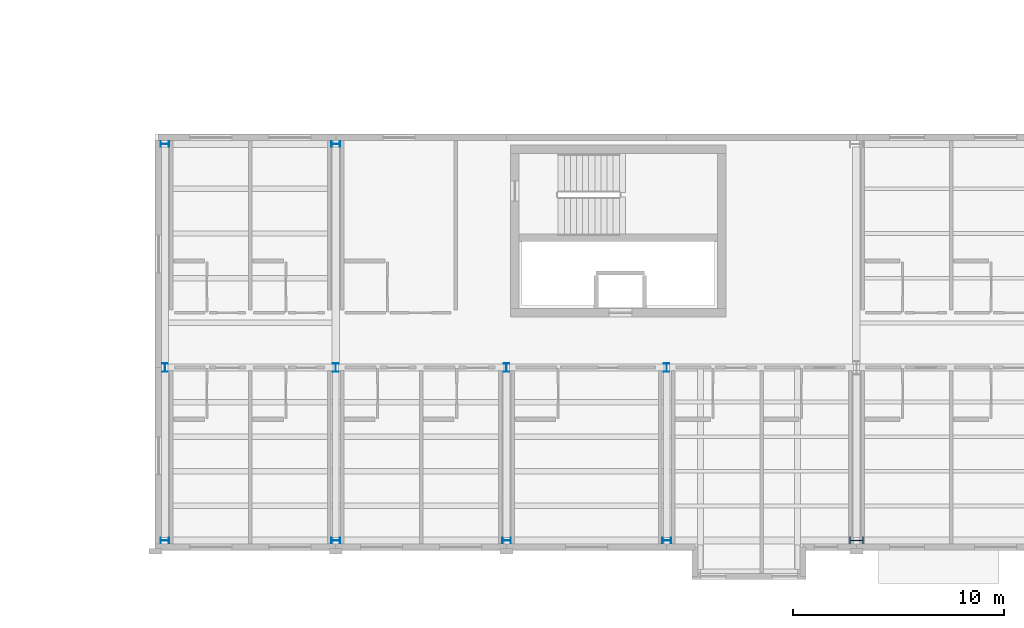
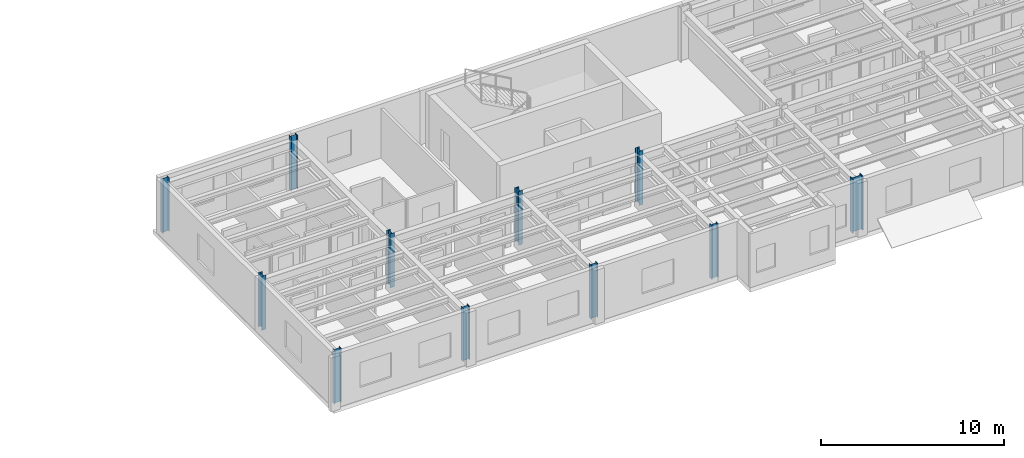
# One storey, part 1 of 34: 11 columns.
"""IFC4 building model written with IfcOpenShell, lengths in metres."""

from ifc_helpers import new_model, si_unit, direction, frame, origin, origin_2d, place, context, subcontext, project, spatial, i_section, extrude, material, material_profile, profile_set, type_object, element, save


model = new_model("IFC4")

# Units and contexts
model_context = context("Model", 3, precision=1e-05, world=origin(), true_north=direction((0.0, 1.0)))
body_context = subcontext(model_context, "Body", "Model", "MODEL_VIEW")
ifc_project = project(units=[si_unit("LENGTHUNIT", "METRE"), si_unit("AREAUNIT", "SQUARE_METRE"), si_unit("VOLUMEUNIT", "CUBIC_METRE"), si_unit("PLANEANGLEUNIT", "RADIAN"), si_unit("MASSUNIT", "GRAM", prefix="KILO")], contexts=[model_context])

# Site, building, storey
site_placement = place(None, origin())
site = spatial("IfcSite", under=ifc_project, at=site_placement, CompositionType="ELEMENT")
building_placement = place(site_placement, origin())
building = spatial("IfcBuilding", under=site, at=building_placement, Name="Sollismere Congress Hotel", CompositionType="ELEMENT")
storey_placement = place(building_placement, frame((0.0, 0.0, 23.39990234375)))
storey = spatial("IfcBuildingStorey", under=building, at=storey_placement, Name="L05", CompositionType="ELEMENT", Elevation=23.39990234375)

# Columns
ifc_material = material(Name="Steel ASTM A992 Grade 50", Category="steel")
ifc_material_profile_1 = material_profile(ifc_material, i_section(OverallWidth=0.261962890625, OverallDepth=0.4189453125, WebThickness=0.01171875, FlangeThickness=0.019287109375, at=origin_2d()), Name="W16X77")
ifc_profile_set_1 = profile_set([ifc_material_profile_1], Name="Steel ASTM A992 Grade 50")
column_type_1 = type_object("IfcColumnType", Name="COL-W16", PredefinedType="COLUMN", material=ifc_profile_set_1)
for number, where, z_axis, x_axis, name in (
    (1, (34.199951171875, 0.0, 0.0), (0.0, 0.0, 1.0), (0.0, 1.0, 0.0), "Column CL-L05-121"),
    (2, (34.199951171875, 8.199951171875, 0.0), (0.0, 0.0, 1.0), (1.0, 0.0, 0.0), "Column CL-L05-129"),
    (3, (34.199951171875, 18.800048828125, 0.0), (0.0, 0.0, 1.0), (0.0, 1.0, 0.0), "Column CL-L05-137"),
    (4, (42.300048828125, 0.0, 0.0), (0.0, 0.0, 1.0), (0.0, 1.0, 0.0), "Column CL-L05-156"),
    (5, (42.300048828125, 8.199951171875, 0.0), (0.0, 0.0, 1.0), (1.0, 0.0, 0.0), "Column CL-L05-164"),
    (6, (42.300048828125, 18.800048828125, 0.0), (0.0, 0.0, 1.0), (0.0, 1.0, 0.0), "Column CL-L05-172"),
    (7, (50.39990234375, 0.0, 0.0), (0.0, 0.0, 1.0), (0.0, 1.0, 0.0), "Column CL-L05-191"),
    (8, (50.39990234375, 8.199951171875, 0.0), (0.0, 0.0, 1.0), (1.0, 0.0, 0.0), "Column CL-L05-199"),
    (9, (58.0, 0.0, 0.0), (0.0, 0.0, 1.0), (0.0, 1.0, 0.0), "Column CL-L05-234"),
    (10, (58.0, 8.199951171875, 0.0), (0.0, 0.0, 1.0), (1.0, 0.0, 0.0), "Column CL-L05-242"),
):
    element("IfcColumn", number, at=place(storey_placement, frame(where, z_axis=z_axis, x_axis=x_axis)), inside=storey, type_object=column_type_1, Name=name, PredefinedType="COLUMN", context=body_context, shape_type="SweptSolid", body=[
        extrude(i_section(OverallWidth=0.261962890625, OverallDepth=0.4189453125, WebThickness=0.01171875, FlangeThickness=0.019287109375, at=origin_2d()), origin(), (0.0, 0.0, 1.0), 3.60009765625),
    ])
ifc_material_profile_2 = material_profile(ifc_material, i_section(OverallWidth=0.3330078125, OverallDepth=0.659912109375, WebThickness=0.0244140625, FlangeThickness=0.0439453125, at=origin_2d()), Name="W24X229")
ifc_profile_set_2 = profile_set([ifc_material_profile_2], Name="Steel ASTM A992 Grade 50")
column_type_2 = type_object("IfcColumnType", Name="COL-W24", PredefinedType="COLUMN", material=ifc_profile_set_2)
column_placement = place(storey_placement, frame((67.0, 0.0, 0.0), z_axis=(0.0, 0.0, 1.0), x_axis=(0.0, 1.0, 0.0)))
element("IfcColumn", 11, at=column_placement, inside=storey, type_object=column_type_2, Name="Column CL-L05-282", PredefinedType="COLUMN", context=body_context, shape_type="SweptSolid", body=[
    extrude(i_section(OverallWidth=0.3330078125, OverallDepth=0.659912109375, WebThickness=0.0244140625, FlangeThickness=0.0439453125, at=origin_2d()), origin(), (0.0, 0.0, 1.0), 3.60009765625),
])

save(model, "model.ifc")
